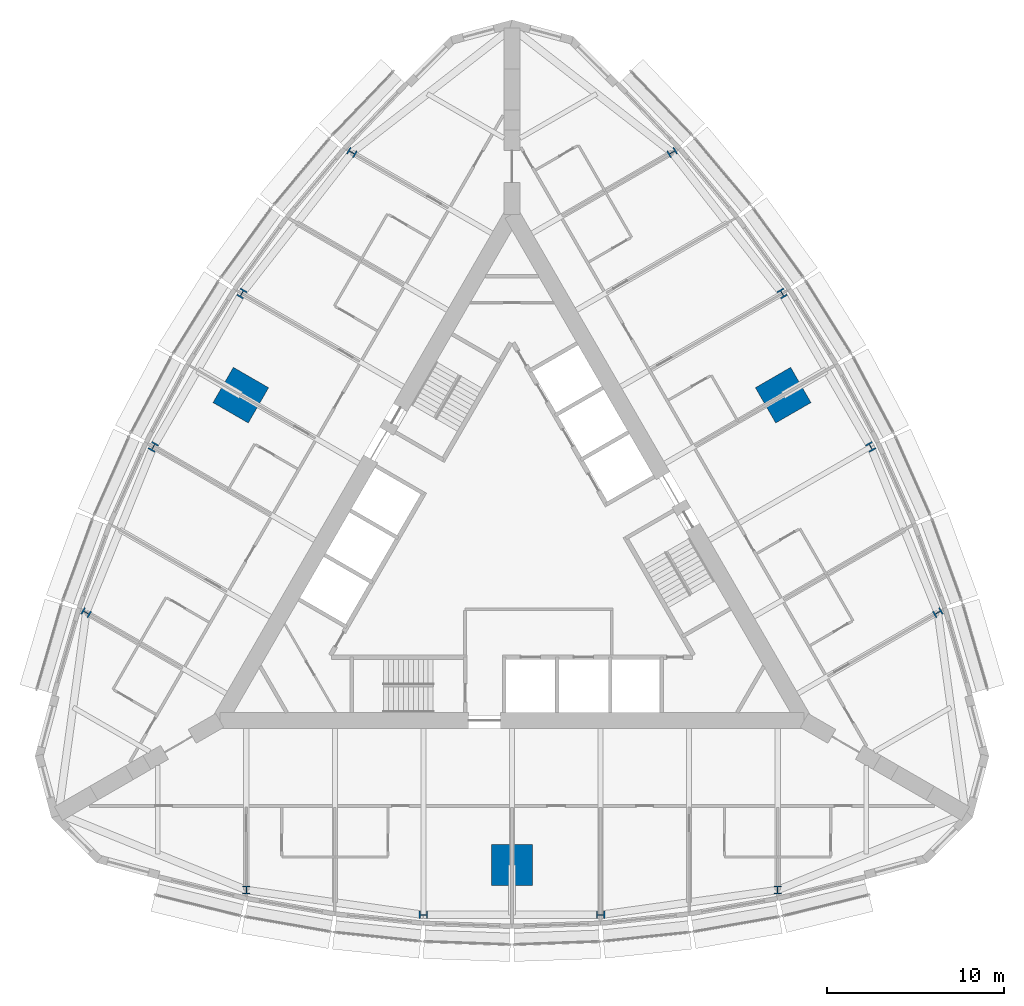
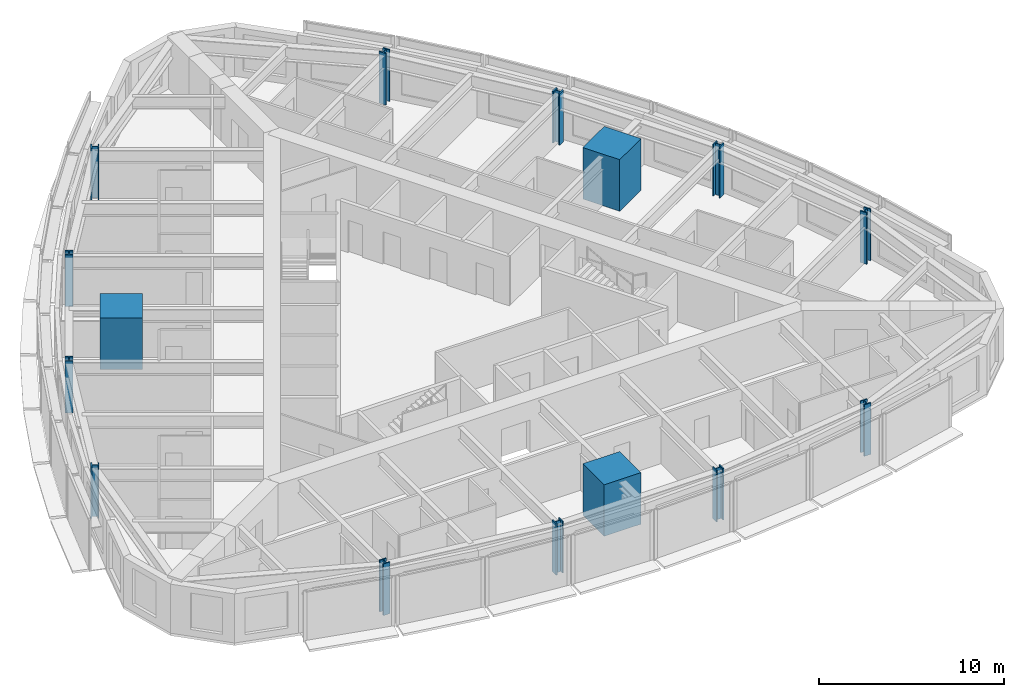
# One storey, part 1 of 14: 15 columns.
"""IFC4 building model written with IfcOpenShell, lengths in metres."""

from ifc_helpers import new_model, si_unit, direction, frame, origin, origin_2d, place, context, subcontext, project, spatial, rectangle, i_section, extrude, material, material_profile, profile_set, type_object, element, save


model = new_model("IFC4")

# Units and contexts
model_context = context("Model", 3, precision=1e-05, world=origin(), true_north=direction((0.0, 1.0)))
body_context = subcontext(model_context, "Body", "Model", "MODEL_VIEW")
ifc_project = project(units=[si_unit("LENGTHUNIT", "METRE"), si_unit("AREAUNIT", "SQUARE_METRE"), si_unit("VOLUMEUNIT", "CUBIC_METRE"), si_unit("PLANEANGLEUNIT", "RADIAN"), si_unit("MASSUNIT", "GRAM", prefix="KILO")], contexts=[model_context])

# Site, building, storey
site_placement = place(None, origin())
site = spatial("IfcSite", under=ifc_project, at=site_placement, CompositionType="ELEMENT")
building_placement = place(site_placement, origin())
building = spatial("IfcBuilding", under=site, at=building_placement, Name="Trikona Tower", CompositionType="ELEMENT")
storey_placement = place(building_placement, frame((0.0, 0.0, 182.699951171875)))
storey = spatial("IfcBuildingStorey", under=building, at=storey_placement, Name="L49", CompositionType="ELEMENT", Elevation=182.699951171875)

# Columns
ifc_material_1 = material(Name="Concrete f'c 10000 psi with encased steel section", Category="concrete")
ifc_material_profile_1 = material_profile(ifc_material_1, rectangle(XDim=2.300048828125, YDim=2.300048828125, at=origin_2d()), Name="MC2300")
ifc_profile_set_1 = profile_set([ifc_material_profile_1], Name="Concrete f'c 10000 psi with encased steel section")
column_type_1 = type_object("IfcColumnType", Name="Composite mega column 2300x2300", PredefinedType="COLUMN", material=ifc_profile_set_1)
for number, where, z_axis, x_axis, name in (
    (1, (0.0, -17.680419921875, 0.0), (0.0, 0.0, 1.0), (0.0, -1.0, 0.0), "Mega column MC1"),
    (2, (15.311767578125, 8.84033203125, 0.0), (0.0, 0.0, 1.0), (0.866025403784, 0.5, 0.0), "Mega column MC2"),
    (3, (-15.311767578125, 8.84033203125, 0.0), (0.0, 0.0, 1.0), (-0.866025403784, 0.5, 0.0), "Mega column MC3"),
):
    element("IfcColumn", number, at=place(storey_placement, frame(where, z_axis=z_axis, x_axis=x_axis)), inside=storey, type_object=column_type_1, Name=name, PredefinedType="COLUMN", context=body_context, shape_type="SweptSolid", body=[
        extrude(rectangle(XDim=2.300048828125, YDim=2.300048828125, at=origin_2d()), origin(), (0.0, 0.0, 1.0), 3.400146484375),
    ])
ifc_material_2 = material(Name="Steel ASTM A992 Grade 50", Category="steel")
ifc_material_profile_2 = material_profile(ifc_material_2, i_section(OverallWidth=0.424072265625, OverallDepth=0.47509765625, WebThickness=0.0478515625, FlangeThickness=0.0771484375, at=origin_2d()), Name="W14X426")
ifc_profile_set_2 = profile_set([ifc_material_profile_2], Name="Steel ASTM A992 Grade 50")
column_type_2 = type_object("IfcColumnType", Name="Steel column W14x426", PredefinedType="COLUMN", material=ifc_profile_set_2)
for number, where, z_axis, x_axis, name in (
    (4, (-15.0, -19.10009765625, 0.0), (0.0, 0.0, 1.0), (1.0, 0.0, 0.0), "Column F0m15"),
    (5, (-5.0, -20.500244140625, 0.0), (0.0, 0.0, 1.0), (0.0, -1.0, 0.0), "Column F0m5"),
    (6, (5.0, -20.500244140625, 0.0), (0.0, 0.0, 1.0), (0.0, -1.0, 0.0), "Column F0p5"),
    (7, (15.0, -19.10009765625, 0.0), (0.0, 0.0, 1.0), (1.0, 0.0, 0.0), "Column F0p15"),
    (8, (24.041259765625, -3.440185546875, 0.0), (0.0, 0.0, 1.0), (-0.5, 0.866025403784, 0.0), "Column F1m15"),
    (9, (20.253662109375, 5.919921875, 0.0), (0.0, 0.0, 1.0), (0.866025403784, 0.5, 0.0), "Column F1m5"),
    (10, (15.253662109375, 14.580078125, 0.0), (0.0, 0.0, 1.0), (0.866025403784, 0.5, 0.0), "Column F1p5"),
    (11, (9.041259765625, 22.54052734375, 0.0), (0.0, 0.0, 1.0), (-0.5, 0.866025403784, 0.0), "Column F1p15"),
    (12, (-9.041259765625, 22.54052734375, 0.0), (0.0, 0.0, 1.0), (-0.5, -0.866025403784, 0.0), "Column F2m15"),
    (13, (-15.253662109375, 14.580078125, 0.0), (0.0, 0.0, 1.0), (-0.866025403784, 0.5, 0.0), "Column F2m5"),
    (14, (-20.253662109375, 5.919921875, 0.0), (0.0, 0.0, 1.0), (-0.866025403784, 0.5, 0.0), "Column F2p5"),
    (15, (-24.041259765625, -3.440185546875, 0.0), (0.0, 0.0, 1.0), (-0.5, -0.866025403784, 0.0), "Column F2p15"),
):
    element("IfcColumn", number, at=place(storey_placement, frame(where, z_axis=z_axis, x_axis=x_axis)), inside=storey, type_object=column_type_2, Name=name, PredefinedType="COLUMN", context=body_context, shape_type="SweptSolid", body=[
        extrude(i_section(OverallWidth=0.424072265625, OverallDepth=0.47509765625, WebThickness=0.0478515625, FlangeThickness=0.0771484375, at=origin_2d()), origin(), (0.0, 0.0, 1.0), 3.400146484375),
    ])

save(model, "model.ifc")
